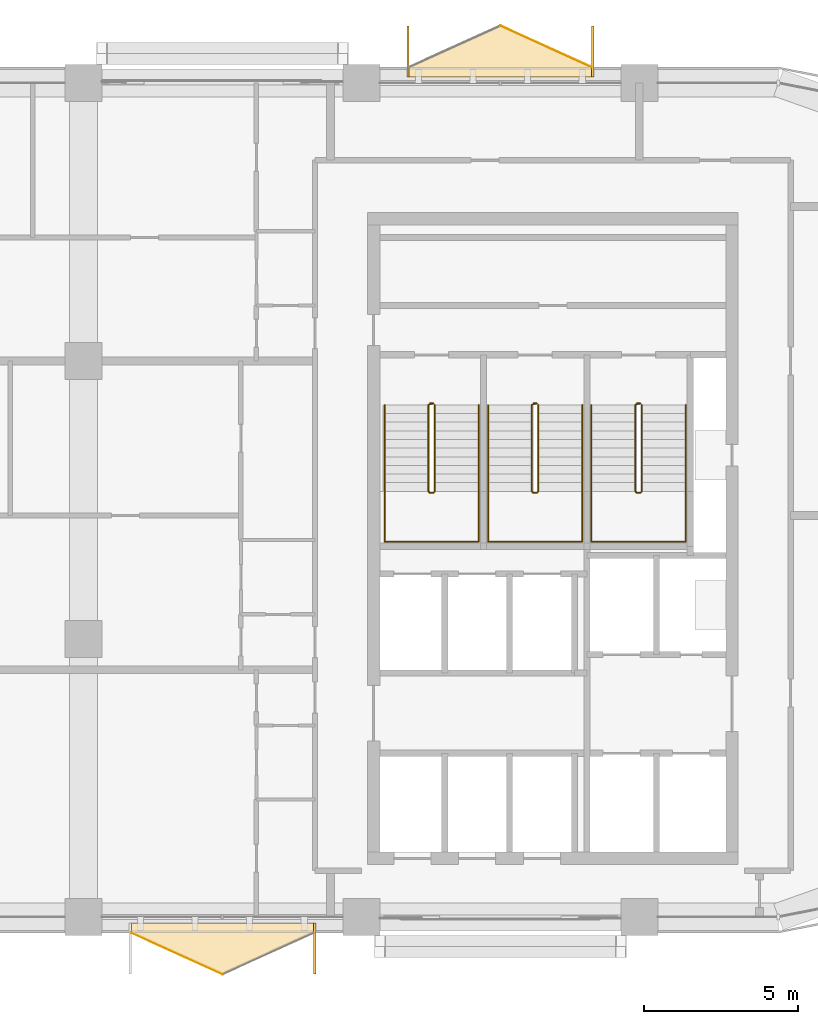
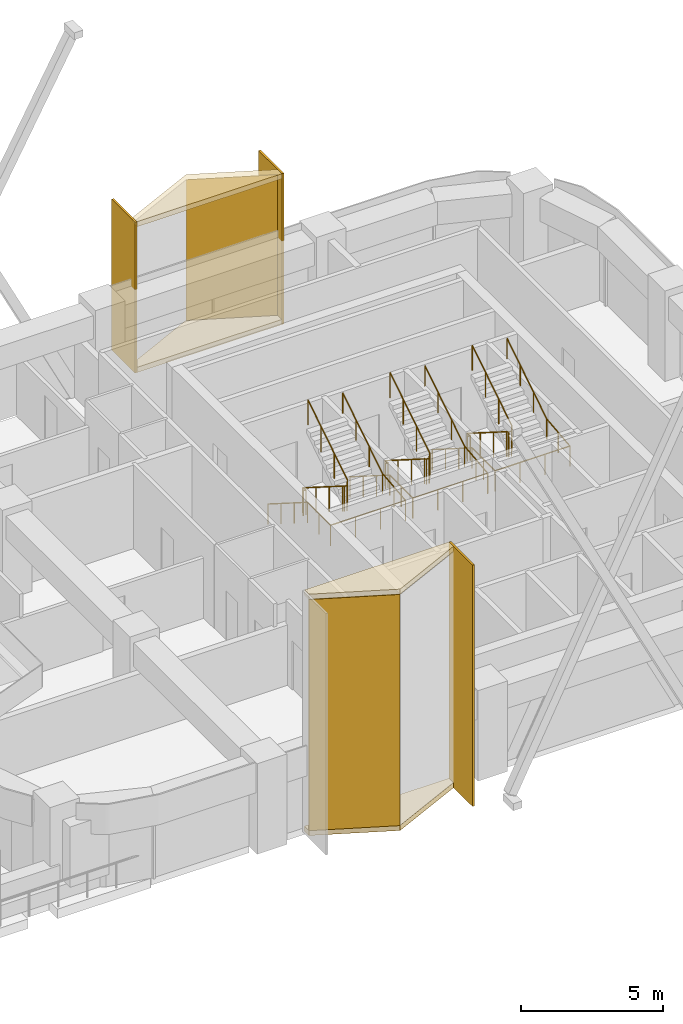
# One storey, part 13 of 13: 9 coverings, 6 railings.
"""IFC4 building model written with IfcOpenShell, lengths in metres."""

from ifc_helpers import new_model, si_unit, direction, frame, origin, origin_2d, place, context, subcontext, project, spatial, polyline, rectangle, circle, outline, extrude, material, layer, layer_set, type_object, element, save


model = new_model("IFC4")

# Units and contexts
model_context = context("Model", 3, precision=1e-05, world=origin(), true_north=direction((0.0, 1.0)))
body_context = subcontext(model_context, "Body", "Model", "MODEL_VIEW")
ifc_project = project(units=[si_unit("LENGTHUNIT", "METRE"), si_unit("AREAUNIT", "SQUARE_METRE"), si_unit("VOLUMEUNIT", "CUBIC_METRE"), si_unit("PLANEANGLEUNIT", "RADIAN"), si_unit("MASSUNIT", "GRAM", prefix="KILO")], contexts=[model_context])

# Site, building, storey
site_placement = place(None, origin())
site = spatial("IfcSite", under=ifc_project, at=site_placement, CompositionType="ELEMENT")
building_placement = place(site_placement, origin())
building = spatial("IfcBuilding", under=site, at=building_placement, Name="Tessera Arch", CompositionType="ELEMENT")
storey_placement = place(building_placement, frame((0.0, 0.0, 234.5)))
storey = spatial("IfcBuildingStorey", under=building, at=storey_placement, Name="L56", CompositionType="ELEMENT", Elevation=234.5)

# Railings
ifc_material_1 = material(Name="Painted steel balustrade", Category="steel")
railing_type_1 = type_object("IfcRailingType", Name="Stair guard 1100", PredefinedType="GUARDRAIL", material=ifc_material_1)
railing_1_placement = place(storey_placement, frame((38.219970703125, 43.6298828125, 0.0)))
element("IfcRailing", 1, at=railing_1_placement, inside=storey, type_object=railing_type_1, Name="L56 S1a stair guard 1", PredefinedType="GUARDRAIL", context=body_context, shape_type="SweptSolid", body=[
    extrude(circle(Radius=0.02392578125, at=origin_2d()), frame((-0.00390625, 0.0, 1.076171875), z_axis=(1.0, 0.0, 0.0), x_axis=(0.0, 1.0, 0.0)), (0.0, 0.0, 1.0), 0.1181640625),
    extrude(circle(Radius=0.02392578125, at=origin_2d()), frame((0.11279296875, 0.000732421875, 1.0732421875), z_axis=(-0.656319048605, -0.204099216335, 0.726353093426), x_axis=(0.296948579431, -0.954893471113, 0.0)), (0.0, 0.0, 1.0), 0.251953125),
    extrude(circle(Radius=0.02392578125, at=origin_2d()), frame((-0.050048828125, -0.04638671875, 1.251220703125), z_axis=(0.0, -0.844908973607, 0.534910110503), x_axis=(1.0, 0.0, 0.0)), (0.0, 0.0, 1.0), 3.322021484375),
    extrude(circle(Radius=0.02392578125, at=origin_2d()), frame((-0.052978515625, -2.846923828125, 3.02587890625), z_axis=(0.707106781187, -0.707106781187, 0.0), x_axis=(0.707106781187, 0.707106781187, 0.0)), (0.0, 0.0, 1.0), 0.078857421875),
    extrude(circle(Radius=0.02392578125, at=origin_2d()), frame((-0.00390625, -2.89990234375, 3.02587890625), z_axis=(1.0, 0.0, 0.0), x_axis=(0.0, 1.0, 0.0)), (0.0, 0.0, 1.0), 0.1181640625),
    extrude(circle(Radius=0.02392578125, at=origin_2d()), frame((0.109130859375, -2.90087890625, 3.022216796875), z_axis=(0.261041864531, 0.262321481514, 0.929001929653), x_axis=(-0.708833529934, 0.705375805398, 0.0)), (0.0, 0.0, 1.0), 0.19873046875),
    extrude(circle(Radius=0.02392578125, at=origin_2d()), frame((0.159912109375, -2.853271484375, 3.201171875), z_axis=(0.0, 0.844908973607, 0.534910110503), x_axis=(-1.0, 0.0, 0.0)), (0.0, 0.0, 1.0), 3.322021484375),
    extrude(circle(Radius=0.02099609375, at=origin_2d()), origin(), (0.0, 0.0, 1.0), 1.06396484375),
    extrude(circle(Radius=0.02099609375, at=origin_2d()), frame((0.110107421875, 0.0, 0.0)), (0.0, 0.0, 1.0), 1.06396484375),
    extrude(circle(Radius=0.02099609375, at=origin_2d()), frame((-0.050048828125, -0.0498046875, 0.17724609375)), (0.0, 0.0, 1.0), 1.06396484375),
    extrude(circle(Radius=0.02099609375, at=origin_2d()), frame((-0.050048828125, -0.983154296875, 0.76806640625)), (0.0, 0.0, 1.0), 1.06396484375),
    extrude(circle(Radius=0.02099609375, at=origin_2d()), frame((-0.050048828125, -1.91650390625, 1.359130859375)), (0.0, 0.0, 1.0), 1.06396484375),
    extrude(circle(Radius=0.02099609375, at=origin_2d()), frame((-0.050048828125, -2.849853515625, 1.949951171875)), (0.0, 0.0, 1.0), 1.06396484375),
    extrude(circle(Radius=0.02099609375, at=origin_2d()), frame((0.0, -2.89990234375, 1.949951171875)), (0.0, 0.0, 1.0), 1.06396484375),
    extrude(circle(Radius=0.02099609375, at=origin_2d()), frame((0.110107421875, -2.89990234375, 1.949951171875)), (0.0, 0.0, 1.0), 1.06396484375),
    extrude(circle(Radius=0.02099609375, at=origin_2d()), frame((0.159912109375, -2.849853515625, 2.127197265625)), (0.0, 0.0, 1.0), 1.06396484375),
    extrude(circle(Radius=0.02099609375, at=origin_2d()), frame((0.159912109375, -1.91650390625, 2.718017578125)), (0.0, 0.0, 1.0), 1.06396484375),
    extrude(circle(Radius=0.02099609375, at=origin_2d()), frame((0.159912109375, -0.983154296875, 3.30908203125)), (0.0, 0.0, 1.0), 1.06396484375),
    extrude(circle(Radius=0.02099609375, at=origin_2d()), frame((0.159912109375, -0.0498046875, 3.89990234375)), (0.0, 0.0, 1.0), 1.06396484375),
])
railing_2_placement = place(storey_placement, frame((41.570068359375, 43.6298828125, 0.0)))
element("IfcRailing", 2, at=railing_2_placement, inside=storey, type_object=railing_type_1, Name="L56 S1b stair guard 1", PredefinedType="GUARDRAIL", context=body_context, shape_type="SweptSolid", body=[
    extrude(circle(Radius=0.02392578125, at=origin_2d()), frame((-0.00390625, 0.0, 1.076171875), z_axis=(1.0, 0.0, 0.0), x_axis=(0.0, 1.0, 0.0)), (0.0, 0.0, 1.0), 0.117919921875),
    extrude(circle(Radius=0.02392578125, at=origin_2d()), frame((0.112548828125, 0.000732421875, 1.0732421875), z_axis=(-0.65574896516, -0.204233265485, 0.726830150696), x_axis=(0.297361876254, -0.954764847777, 0.0)), (0.0, 0.0, 1.0), 0.251953125),
    extrude(circle(Radius=0.02392578125, at=origin_2d()), frame((-0.050048828125, -0.04638671875, 1.251220703125), z_axis=(0.0, -0.844908973607, 0.534910110503), x_axis=(1.0, 0.0, 0.0)), (0.0, 0.0, 1.0), 3.322021484375),
    extrude(circle(Radius=0.02392578125, at=origin_2d()), frame((-0.052978515625, -2.846923828125, 3.02587890625), z_axis=(0.707106781187, -0.707106781187, 0.0), x_axis=(0.707106781187, 0.707106781187, 0.0)), (0.0, 0.0, 1.0), 0.078857421875),
    extrude(circle(Radius=0.02392578125, at=origin_2d()), frame((-0.00390625, -2.89990234375, 3.02587890625), z_axis=(1.0, 0.0, 0.0), x_axis=(0.0, 1.0, 0.0)), (0.0, 0.0, 1.0), 0.117919921875),
    extrude(circle(Radius=0.02392578125, at=origin_2d()), frame((0.10888671875, -2.90087890625, 3.022216796875), z_axis=(0.262233686654, 0.262233686654, 0.928691007369), x_axis=(-0.707106781187, 0.707106781187, 0.0)), (0.0, 0.0, 1.0), 0.198974609375),
    extrude(circle(Radius=0.02392578125, at=origin_2d()), frame((0.159912109375, -2.853271484375, 3.201171875), z_axis=(0.0, 0.844908973607, 0.534910110503), x_axis=(-1.0, 0.0, 0.0)), (0.0, 0.0, 1.0), 3.322021484375),
    extrude(circle(Radius=0.02099609375, at=origin_2d()), origin(), (0.0, 0.0, 1.0), 1.06396484375),
    extrude(circle(Radius=0.02099609375, at=origin_2d()), frame((0.10986328125, 0.0, 0.0)), (0.0, 0.0, 1.0), 1.06396484375),
    extrude(circle(Radius=0.02099609375, at=origin_2d()), frame((-0.050048828125, -0.0498046875, 0.17724609375)), (0.0, 0.0, 1.0), 1.06396484375),
    extrude(circle(Radius=0.02099609375, at=origin_2d()), frame((-0.050048828125, -0.983154296875, 0.76806640625)), (0.0, 0.0, 1.0), 1.06396484375),
    extrude(circle(Radius=0.02099609375, at=origin_2d()), frame((-0.050048828125, -1.91650390625, 1.359130859375)), (0.0, 0.0, 1.0), 1.06396484375),
    extrude(circle(Radius=0.02099609375, at=origin_2d()), frame((-0.050048828125, -2.849853515625, 1.949951171875)), (0.0, 0.0, 1.0), 1.06396484375),
    extrude(circle(Radius=0.02099609375, at=origin_2d()), frame((0.0, -2.89990234375, 1.949951171875)), (0.0, 0.0, 1.0), 1.06396484375),
    extrude(circle(Radius=0.02099609375, at=origin_2d()), frame((0.10986328125, -2.89990234375, 1.949951171875)), (0.0, 0.0, 1.0), 1.06396484375),
    extrude(circle(Radius=0.02099609375, at=origin_2d()), frame((0.159912109375, -2.849853515625, 2.127197265625)), (0.0, 0.0, 1.0), 1.06396484375),
    extrude(circle(Radius=0.02099609375, at=origin_2d()), frame((0.159912109375, -1.91650390625, 2.718017578125)), (0.0, 0.0, 1.0), 1.06396484375),
    extrude(circle(Radius=0.02099609375, at=origin_2d()), frame((0.159912109375, -0.983154296875, 3.30908203125)), (0.0, 0.0, 1.0), 1.06396484375),
    extrude(circle(Radius=0.02099609375, at=origin_2d()), frame((0.159912109375, -0.0498046875, 3.89990234375)), (0.0, 0.0, 1.0), 1.06396484375),
])
railing_3_placement = place(storey_placement, frame((44.919921875, 43.6298828125, 0.0)))
element("IfcRailing", 3, at=railing_3_placement, inside=storey, type_object=railing_type_1, Name="L56 S1c stair guard 1", PredefinedType="GUARDRAIL", context=body_context, shape_type="SweptSolid", body=[
    extrude(circle(Radius=0.02392578125, at=origin_2d()), frame((-0.00390625, 0.0, 1.076171875), z_axis=(1.0, 0.0, 0.0), x_axis=(0.0, 1.0, 0.0)), (0.0, 0.0, 1.0), 0.1181640625),
    extrude(circle(Radius=0.02392578125, at=origin_2d()), frame((0.11279296875, 0.000732421875, 1.0732421875), z_axis=(-0.65574896516, -0.204233265485, 0.726830150696), x_axis=(0.297361876254, -0.954764847777, 0.0)), (0.0, 0.0, 1.0), 0.251953125),
    extrude(circle(Radius=0.02392578125, at=origin_2d()), frame((-0.0498046875, -0.04638671875, 1.251220703125), z_axis=(0.0, -0.844908973607, 0.534910110503), x_axis=(1.0, 0.0, 0.0)), (0.0, 0.0, 1.0), 3.322021484375),
    extrude(circle(Radius=0.02392578125, at=origin_2d()), frame((-0.052734375, -2.846923828125, 3.02587890625), z_axis=(0.705375805398, -0.708833529934, 0.0), x_axis=(0.708833529934, 0.705375805398, 0.0)), (0.0, 0.0, 1.0), 0.07861328125),
    extrude(circle(Radius=0.02392578125, at=origin_2d()), frame((-0.00390625, -2.89990234375, 3.02587890625), z_axis=(1.0, 0.0, 0.0), x_axis=(0.0, 1.0, 0.0)), (0.0, 0.0, 1.0), 0.1181640625),
    extrude(circle(Radius=0.02392578125, at=origin_2d()), frame((0.109130859375, -2.90087890625, 3.022216796875), z_axis=(0.262233686654, 0.262233686654, 0.928691007369), x_axis=(-0.707106781187, 0.707106781187, 0.0)), (0.0, 0.0, 1.0), 0.198974609375),
    extrude(circle(Radius=0.02392578125, at=origin_2d()), frame((0.16015625, -2.853271484375, 3.201171875), z_axis=(0.0, 0.844908973607, 0.534910110503), x_axis=(-1.0, 0.0, 0.0)), (0.0, 0.0, 1.0), 3.322021484375),
    extrude(circle(Radius=0.02099609375, at=origin_2d()), origin(), (0.0, 0.0, 1.0), 1.06396484375),
    extrude(circle(Radius=0.02099609375, at=origin_2d()), frame((0.110107421875, 0.0, 0.0)), (0.0, 0.0, 1.0), 1.06396484375),
    extrude(circle(Radius=0.02099609375, at=origin_2d()), frame((-0.0498046875, -0.0498046875, 0.17724609375)), (0.0, 0.0, 1.0), 1.06396484375),
    extrude(circle(Radius=0.02099609375, at=origin_2d()), frame((-0.0498046875, -0.983154296875, 0.76806640625)), (0.0, 0.0, 1.0), 1.06396484375),
    extrude(circle(Radius=0.02099609375, at=origin_2d()), frame((-0.0498046875, -1.91650390625, 1.359130859375)), (0.0, 0.0, 1.0), 1.06396484375),
    extrude(circle(Radius=0.02099609375, at=origin_2d()), frame((-0.0498046875, -2.849853515625, 1.949951171875)), (0.0, 0.0, 1.0), 1.06396484375),
    extrude(circle(Radius=0.02099609375, at=origin_2d()), frame((0.0, -2.89990234375, 1.949951171875)), (0.0, 0.0, 1.0), 1.06396484375),
    extrude(circle(Radius=0.02099609375, at=origin_2d()), frame((0.110107421875, -2.89990234375, 1.949951171875)), (0.0, 0.0, 1.0), 1.06396484375),
    extrude(circle(Radius=0.02099609375, at=origin_2d()), frame((0.16015625, -2.849853515625, 2.127197265625)), (0.0, 0.0, 1.0), 1.06396484375),
    extrude(circle(Radius=0.02099609375, at=origin_2d()), frame((0.16015625, -1.91650390625, 2.718017578125)), (0.0, 0.0, 1.0), 1.06396484375),
    extrude(circle(Radius=0.02099609375, at=origin_2d()), frame((0.16015625, -0.983154296875, 3.30908203125)), (0.0, 0.0, 1.0), 1.06396484375),
    extrude(circle(Radius=0.02099609375, at=origin_2d()), frame((0.16015625, -0.0498046875, 3.89990234375)), (0.0, 0.0, 1.0), 1.06396484375),
])
ifc_material_2 = material(Name="Painted steel handrail", Category="steel")
railing_type_2 = type_object("IfcRailingType", Name="Stair handrail 900", PredefinedType="HANDRAIL", material=ifc_material_2)
railing_4_placement = place(storey_placement, frame((36.75, 43.580078125, 0.17724609375)))
element("IfcRailing", 4, at=railing_4_placement, inside=storey, type_object=railing_type_2, Name="L56 S1a stair handrail", PredefinedType="HANDRAIL", context=body_context, shape_type="SweptSolid", body=[
    extrude(circle(Radius=0.02392578125, at=origin_2d()), frame((0.0, 0.00341796875, 0.873779296875), z_axis=(0.0, -0.844908973607, 0.534910110503), x_axis=(1.0, 0.0, 0.0)), (0.0, 0.0, 1.0), 3.322021484375),
    extrude(circle(Radius=0.02392578125, at=origin_2d()), frame((0.0, -2.796142578125, 2.6484375), z_axis=(0.0, -1.0, 0.0), x_axis=(1.0, 0.0, 0.0)), (0.0, 0.0, 1.0), 1.63818359375),
    extrude(circle(Radius=0.02392578125, at=origin_2d()), frame((-0.00390625, -4.43017578125, 2.6484375), z_axis=(1.0, 0.0, 0.0), x_axis=(0.0, 1.0, 0.0)), (0.0, 0.0, 1.0), 3.05810546875),
    extrude(circle(Radius=0.02392578125, at=origin_2d()), frame((3.050048828125, -4.43408203125, 2.648193359375), z_axis=(0.0, 0.994140637614, 0.108094369164), x_axis=(-1.0, 0.0, 0.0)), (0.0, 0.0, 1.0), 1.647705078125),
    extrude(circle(Radius=0.02392578125, at=origin_2d()), frame((3.050048828125, -2.803466796875, 2.82373046875), z_axis=(0.0, 0.844908973607, 0.534910110503), x_axis=(-1.0, 0.0, 0.0)), (0.0, 0.0, 1.0), 3.322021484375),
    extrude(circle(Radius=0.02099609375, at=origin_2d()), origin(), (0.0, 0.0, 1.0), 0.86376953125),
    extrude(circle(Radius=0.02099609375, at=origin_2d()), frame((0.0, -0.933349609375, 0.5908203125)), (0.0, 0.0, 1.0), 0.86376953125),
    extrude(circle(Radius=0.02099609375, at=origin_2d()), frame((0.0, -1.86669921875, 1.181884765625)), (0.0, 0.0, 1.0), 0.86376953125),
    extrude(circle(Radius=0.02099609375, at=origin_2d()), frame((0.0, -2.800048828125, 1.772705078125)), (0.0, 0.0, 1.0), 0.86376953125),
    extrude(circle(Radius=0.02099609375, at=origin_2d()), frame((0.0, -3.615234375, 1.772705078125)), (0.0, 0.0, 1.0), 0.86376953125),
    extrude(circle(Radius=0.02099609375, at=origin_2d()), frame((0.0, -4.43017578125, 1.772705078125)), (0.0, 0.0, 1.0), 0.86376953125),
    extrude(circle(Radius=0.02099609375, at=origin_2d()), frame((1.0166015625, -4.43017578125, 1.772705078125)), (0.0, 0.0, 1.0), 0.86376953125),
    extrude(circle(Radius=0.02099609375, at=origin_2d()), frame((2.033447265625, -4.43017578125, 1.772705078125)), (0.0, 0.0, 1.0), 0.86376953125),
    extrude(circle(Radius=0.02099609375, at=origin_2d()), frame((3.050048828125, -4.43017578125, 1.772705078125)), (0.0, 0.0, 1.0), 0.86376953125),
    extrude(circle(Radius=0.02099609375, at=origin_2d()), frame((3.050048828125, -3.615234375, 1.861328125)), (0.0, 0.0, 1.0), 0.86376953125),
    extrude(circle(Radius=0.02099609375, at=origin_2d()), frame((3.050048828125, -2.800048828125, 1.949951171875)), (0.0, 0.0, 1.0), 0.86376953125),
    extrude(circle(Radius=0.02099609375, at=origin_2d()), frame((3.050048828125, -1.86669921875, 2.540771484375)), (0.0, 0.0, 1.0), 0.86376953125),
    extrude(circle(Radius=0.02099609375, at=origin_2d()), frame((3.050048828125, -0.933349609375, 3.1318359375)), (0.0, 0.0, 1.0), 0.86376953125),
    extrude(circle(Radius=0.02099609375, at=origin_2d()), frame((3.050048828125, 0.0, 3.72265625)), (0.0, 0.0, 1.0), 0.86376953125),
])
railing_5_placement = place(storey_placement, frame((40.10009765625, 43.580078125, 0.17724609375)))
element("IfcRailing", 5, at=railing_5_placement, inside=storey, type_object=railing_type_2, Name="L56 S1b stair handrail", PredefinedType="HANDRAIL", context=body_context, shape_type="SweptSolid", body=[
    extrude(circle(Radius=0.02392578125, at=origin_2d()), frame((0.0, 0.00341796875, 0.873779296875), z_axis=(0.0, -0.844908973607, 0.534910110503), x_axis=(1.0, 0.0, 0.0)), (0.0, 0.0, 1.0), 3.322021484375),
    extrude(circle(Radius=0.02392578125, at=origin_2d()), frame((0.0, -2.796142578125, 2.6484375), z_axis=(0.0, -1.0, 0.0), x_axis=(1.0, 0.0, 0.0)), (0.0, 0.0, 1.0), 1.63818359375),
    extrude(circle(Radius=0.02392578125, at=origin_2d()), frame((-0.00390625, -4.43017578125, 2.6484375), z_axis=(1.0, 0.0, 0.0), x_axis=(0.0, 1.0, 0.0)), (0.0, 0.0, 1.0), 3.057861328125),
    extrude(circle(Radius=0.02392578125, at=origin_2d()), frame((3.0498046875, -4.43408203125, 2.648193359375), z_axis=(0.0, 0.994140637614, 0.108094369164), x_axis=(-1.0, 0.0, 0.0)), (0.0, 0.0, 1.0), 1.647705078125),
    extrude(circle(Radius=0.02392578125, at=origin_2d()), frame((3.0498046875, -2.803466796875, 2.82373046875), z_axis=(0.0, 0.844908973607, 0.534910110503), x_axis=(-1.0, 0.0, 0.0)), (0.0, 0.0, 1.0), 3.322021484375),
    extrude(circle(Radius=0.02099609375, at=origin_2d()), origin(), (0.0, 0.0, 1.0), 0.86376953125),
    extrude(circle(Radius=0.02099609375, at=origin_2d()), frame((0.0, -0.933349609375, 0.5908203125)), (0.0, 0.0, 1.0), 0.86376953125),
    extrude(circle(Radius=0.02099609375, at=origin_2d()), frame((0.0, -1.86669921875, 1.181884765625)), (0.0, 0.0, 1.0), 0.86376953125),
    extrude(circle(Radius=0.02099609375, at=origin_2d()), frame((0.0, -2.800048828125, 1.772705078125)), (0.0, 0.0, 1.0), 0.86376953125),
    extrude(circle(Radius=0.02099609375, at=origin_2d()), frame((0.0, -3.615234375, 1.772705078125)), (0.0, 0.0, 1.0), 0.86376953125),
    extrude(circle(Radius=0.02099609375, at=origin_2d()), frame((0.0, -4.43017578125, 1.772705078125)), (0.0, 0.0, 1.0), 0.86376953125),
    extrude(circle(Radius=0.02099609375, at=origin_2d()), frame((1.0166015625, -4.43017578125, 1.772705078125)), (0.0, 0.0, 1.0), 0.86376953125),
    extrude(circle(Radius=0.02099609375, at=origin_2d()), frame((2.033203125, -4.43017578125, 1.772705078125)), (0.0, 0.0, 1.0), 0.86376953125),
    extrude(circle(Radius=0.02099609375, at=origin_2d()), frame((3.0498046875, -4.43017578125, 1.772705078125)), (0.0, 0.0, 1.0), 0.86376953125),
    extrude(circle(Radius=0.02099609375, at=origin_2d()), frame((3.0498046875, -3.615234375, 1.861328125)), (0.0, 0.0, 1.0), 0.86376953125),
    extrude(circle(Radius=0.02099609375, at=origin_2d()), frame((3.0498046875, -2.800048828125, 1.949951171875)), (0.0, 0.0, 1.0), 0.86376953125),
    extrude(circle(Radius=0.02099609375, at=origin_2d()), frame((3.0498046875, -1.86669921875, 2.540771484375)), (0.0, 0.0, 1.0), 0.86376953125),
    extrude(circle(Radius=0.02099609375, at=origin_2d()), frame((3.0498046875, -0.933349609375, 3.1318359375)), (0.0, 0.0, 1.0), 0.86376953125),
    extrude(circle(Radius=0.02099609375, at=origin_2d()), frame((3.0498046875, 0.0, 3.72265625)), (0.0, 0.0, 1.0), 0.86376953125),
])
railing_6_placement = place(storey_placement, frame((43.449951171875, 43.580078125, 0.17724609375)))
element("IfcRailing", 6, at=railing_6_placement, inside=storey, type_object=railing_type_2, Name="L56 S1c stair handrail", PredefinedType="HANDRAIL", context=body_context, shape_type="SweptSolid", body=[
    extrude(circle(Radius=0.02392578125, at=origin_2d()), frame((0.0, 0.00341796875, 0.873779296875), z_axis=(0.0, -0.844908973607, 0.534910110503), x_axis=(1.0, 0.0, 0.0)), (0.0, 0.0, 1.0), 3.322021484375),
    extrude(circle(Radius=0.02392578125, at=origin_2d()), frame((0.0, -2.796142578125, 2.6484375), z_axis=(0.0, -1.0, 0.0), x_axis=(1.0, 0.0, 0.0)), (0.0, 0.0, 1.0), 1.63818359375),
    extrude(circle(Radius=0.02392578125, at=origin_2d()), frame((-0.00390625, -4.43017578125, 2.6484375), z_axis=(1.0, 0.0, 0.0), x_axis=(0.0, 1.0, 0.0)), (0.0, 0.0, 1.0), 3.05810546875),
    extrude(circle(Radius=0.02392578125, at=origin_2d()), frame((3.050048828125, -4.43408203125, 2.648193359375), z_axis=(0.0, 0.994140637614, 0.108094369164), x_axis=(-1.0, 0.0, 0.0)), (0.0, 0.0, 1.0), 1.647705078125),
    extrude(circle(Radius=0.02392578125, at=origin_2d()), frame((3.050048828125, -2.803466796875, 2.82373046875), z_axis=(0.0, 0.844908973607, 0.534910110503), x_axis=(-1.0, 0.0, 0.0)), (0.0, 0.0, 1.0), 3.322021484375),
    extrude(circle(Radius=0.02099609375, at=origin_2d()), origin(), (0.0, 0.0, 1.0), 0.86376953125),
    extrude(circle(Radius=0.02099609375, at=origin_2d()), frame((0.0, -0.933349609375, 0.5908203125)), (0.0, 0.0, 1.0), 0.86376953125),
    extrude(circle(Radius=0.02099609375, at=origin_2d()), frame((0.0, -1.86669921875, 1.181884765625)), (0.0, 0.0, 1.0), 0.86376953125),
    extrude(circle(Radius=0.02099609375, at=origin_2d()), frame((0.0, -2.800048828125, 1.772705078125)), (0.0, 0.0, 1.0), 0.86376953125),
    extrude(circle(Radius=0.02099609375, at=origin_2d()), frame((0.0, -3.615234375, 1.772705078125)), (0.0, 0.0, 1.0), 0.86376953125),
    extrude(circle(Radius=0.02099609375, at=origin_2d()), frame((0.0, -4.43017578125, 1.772705078125)), (0.0, 0.0, 1.0), 0.86376953125),
    extrude(circle(Radius=0.02099609375, at=origin_2d()), frame((1.0166015625, -4.43017578125, 1.772705078125)), (0.0, 0.0, 1.0), 0.86376953125),
    extrude(circle(Radius=0.02099609375, at=origin_2d()), frame((2.033447265625, -4.43017578125, 1.772705078125)), (0.0, 0.0, 1.0), 0.86376953125),
    extrude(circle(Radius=0.02099609375, at=origin_2d()), frame((3.050048828125, -4.43017578125, 1.772705078125)), (0.0, 0.0, 1.0), 0.86376953125),
    extrude(circle(Radius=0.02099609375, at=origin_2d()), frame((3.050048828125, -3.615234375, 1.861328125)), (0.0, 0.0, 1.0), 0.86376953125),
    extrude(circle(Radius=0.02099609375, at=origin_2d()), frame((3.050048828125, -2.800048828125, 1.949951171875)), (0.0, 0.0, 1.0), 0.86376953125),
    extrude(circle(Radius=0.02099609375, at=origin_2d()), frame((3.050048828125, -1.86669921875, 2.540771484375)), (0.0, 0.0, 1.0), 0.86376953125),
    extrude(circle(Radius=0.02099609375, at=origin_2d()), frame((3.050048828125, -0.933349609375, 3.1318359375)), (0.0, 0.0, 1.0), 0.86376953125),
    extrude(circle(Radius=0.02099609375, at=origin_2d()), frame((3.050048828125, 0.0, 3.72265625)), (0.0, 0.0, 1.0), 0.86376953125),
])

# Coverings
ifc_material_3 = material(Name="Anodised aluminium pale metal", Category="aluminium")
ifc_layer_1 = layer(ifc_material_3, 0.080078125)
ifc_layer_set_1 = layer_set([ifc_layer_1], Name="Window box cheek")
covering_type_1 = type_object("IfcCoveringType", Name="Window box cheek", PredefinedType="CLADDING", material=ifc_layer_set_1)
covering_1_placement = place(storey_placement, origin())
element("IfcCovering", 7, at=covering_1_placement, inside=storey, type_object=covering_type_1, Name="Window box N54.18/1.0 2x2 cheek", PredefinedType="CLADDING", context=body_context, shape_type="SweptSolid", body=[
    extrude(outline(polyline([(43.530029296875, 55.85009765625), (43.449951171875, 55.85009765625), (43.449951171875, 54.199951171875), (43.530029296875, 54.199951171875), (43.530029296875, 55.85009765625)])), origin(), (0.0, 0.0, 1.0), 6.5),
])
covering_2_placement = place(storey_placement, origin())
element("IfcCovering", 8, at=covering_2_placement, inside=storey, type_object=covering_type_1, Name="Window box N54.18/1.0 2x2 cheek", PredefinedType="CLADDING", context=body_context, shape_type="SweptSolid", body=[
    extrude(outline(polyline([(37.550048828125, 55.85009765625), (37.469970703125, 55.85009765625), (37.469970703125, 54.199951171875), (37.550048828125, 54.199951171875), (37.550048828125, 55.85009765625)])), origin(), (0.0, 0.0, 1.0), 6.5),
])
covering_3_placement = place(storey_placement, origin())
element("IfcCovering", 9, at=covering_3_placement, inside=storey, type_object=covering_type_1, Name="Window box S27.18/1.0 2x3 cheek", PredefinedType="CLADDING", context=body_context, shape_type="SweptSolid", body=[
    extrude(outline(polyline([(34.449951171875, 25.14990234375), (34.530029296875, 25.14990234375), (34.530029296875, 26.800048828125), (34.449951171875, 26.800048828125), (34.449951171875, 25.14990234375)])), origin(), (0.0, 0.0, 1.0), 10.39990234375),
])
ifc_material_4 = material(Name="Anodised aluminium cobalt blue", Category="aluminium")
ifc_layer_2 = layer(ifc_material_4, 0.219970703125)
ifc_layer_set_2 = layer_set([ifc_layer_2], Name="Window box frame plate cobalt")
covering_type_2 = type_object("IfcCoveringType", Name="Window box frame plate cobalt", PredefinedType="CLADDING", material=ifc_layer_set_2)
for number, where, name in (
    (10, (0.0, 0.0, 0.0), "Window box S27.18/1.0 2x3 floor"),
    (11, (0.0, 0.0, 10.179931640625), "Window box S27.18/1.0 2x3 roof"),
):
    element("IfcCovering", number, at=place(storey_placement, frame(where)), inside=storey, type_object=covering_type_2, Name=name, PredefinedType="CLADDING", context=body_context, shape_type="SweptSolid", body=[
        extrude(outline(polyline([(28.550048828125, 26.489990234375), (31.5, 25.14990234375), (34.449951171875, 26.489990234375), (34.449951171875, 26.800048828125), (28.550048828125, 26.800048828125), (28.550048828125, 26.489990234375)])), origin(), (0.0, 0.0, 1.0), 0.219970703125),
    ])
ifc_material_5 = material(Name="Anodised aluminium pale metal", Category="aluminium")
ifc_layer_3 = layer(ifc_material_5, 0.219970703125)
ifc_layer_set_3 = layer_set([ifc_layer_3], Name="Window box frame plate pale metal")
covering_type_3 = type_object("IfcCoveringType", Name="Window box frame plate pale metal", PredefinedType="CLADDING", material=ifc_layer_set_3)
for number, where, name in (
    (12, (0.0, 0.0, 0.0), "Window box N54.18/1.0 2x2 floor"),
    (13, (0.0, 0.0, 6.280029296875), "Window box N54.18/1.0 2x2 roof"),
):
    element("IfcCovering", number, at=place(storey_placement, frame(where)), inside=storey, type_object=covering_type_3, Name=name, PredefinedType="CLADDING", context=body_context, shape_type="SweptSolid", body=[
        extrude(outline(polyline([(43.449951171875, 54.510009765625), (40.5, 55.85009765625), (37.550048828125, 54.510009765625), (37.550048828125, 54.199951171875), (43.449951171875, 54.199951171875), (43.449951171875, 54.510009765625)])), origin(), (0.0, 0.0, 1.0), 0.219970703125),
    ])
ifc_material_6 = material(Name="Anodised aluminium pale metal", Category="aluminium")
ifc_layer_4 = layer(ifc_material_6, 0.028076171875)
ifc_layer_set_4 = layer_set([ifc_layer_4], Name="Window box side panel")
covering_type_4 = type_object("IfcCoveringType", Name="Window box side panel", PredefinedType="CLADDING", material=ifc_layer_set_4)
covering_4_placement = place(storey_placement, frame((41.97509765625, 55.179931640625, 0.219970703125), z_axis=(0.0, 0.0, 1.0), x_axis=(-0.910472144558, 0.413570397858, 0.0)))
element("IfcCovering", 14, at=covering_4_placement, inside=storey, type_object=covering_type_4, Name="Window box N54.18/1.0 2x2 side panel", PredefinedType="CLADDING", context=body_context, shape_type="SweptSolid", body=[
    extrude(rectangle(XDim=3.239990234375, YDim=0.028076171875, at=origin_2d()), origin(), (0.0, 0.0, 1.0), 6.06005859375),
])
covering_5_placement = place(storey_placement, frame((30.02490234375, 25.820068359375, 0.219970703125), z_axis=(0.0, 0.0, 1.0), x_axis=(0.910472144558, -0.413570397858, 0.0)))
element("IfcCovering", 15, at=covering_5_placement, inside=storey, type_object=covering_type_4, Name="Window box S27.18/1.0 2x3 side panel", PredefinedType="CLADDING", context=body_context, shape_type="SweptSolid", body=[
    extrude(rectangle(XDim=3.239990234375, YDim=0.028076171875, at=origin_2d()), origin(), (0.0, 0.0, 1.0), 9.9599609375),
])

save(model, "model.ifc")
